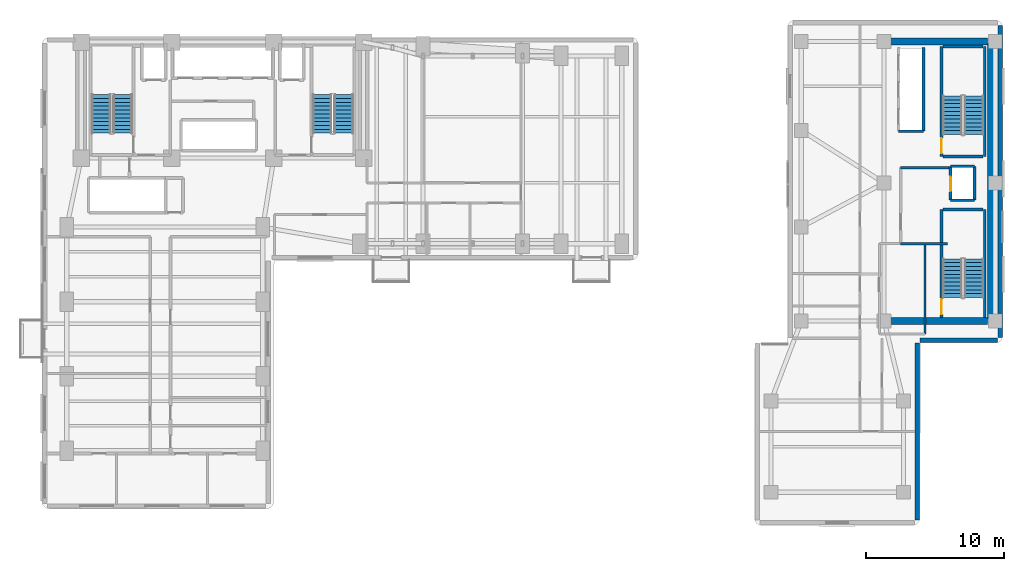
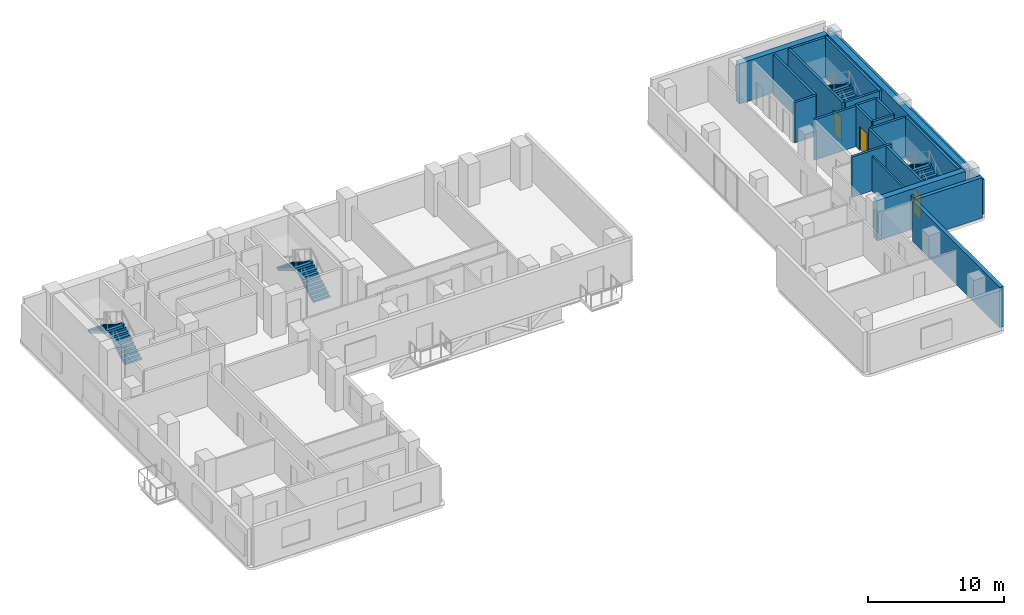
# One storey, part 11 of 15: 22 walls, 8 stair flights, 3 doors, 3 openings, 4 elements without a shape of their own.
"""IFC4 building model written with IfcOpenShell, lengths in metres."""

from ifc_helpers import new_model, si_unit, direction, frame, frame_2d, origin, place, context, subcontext, project, spatial, polyline, rectangle, outline, extrude, material, layer, layer_set, type_object, element, fill, aggregate, save


model = new_model("IFC4")

# Units and contexts
model_context = context("Model", 3, precision=1e-05, world=origin(), true_north=direction((0.0, 1.0)))
body_context = subcontext(model_context, "Body", "Model", "MODEL_VIEW")
ifc_project = project(units=[si_unit("LENGTHUNIT", "METRE"), si_unit("AREAUNIT", "SQUARE_METRE"), si_unit("VOLUMEUNIT", "CUBIC_METRE"), si_unit("PLANEANGLEUNIT", "RADIAN"), si_unit("MASSUNIT", "GRAM", prefix="KILO")], contexts=[model_context])

# Site, building, storey
site_placement = place(None, origin())
site = spatial("IfcSite", under=ifc_project, at=site_placement, CompositionType="ELEMENT")
building_placement = place(site_placement, origin())
building = spatial("IfcBuilding", under=site, at=building_placement, Name="Kuzgunbayir Cultural Tower", CompositionType="ELEMENT")
storey_placement = place(building_placement, frame((0.0, 0.0, 39.800048828125)))
storey = spatial("IfcBuildingStorey", under=building, at=storey_placement, Name="L10", CompositionType="ELEMENT", Elevation=39.800048828125)

# Walls
ifc_material_1 = material(Name="Travertine Buff Ashlar", Category="masonry")
ifc_layer_1 = layer(ifc_material_1, 0.320068359375)
ifc_layer_set_1 = layer_set([ifc_layer_1], Name="Travertine Buff Ashlar")
wall_type_1 = type_object("IfcWallType", Name="WAL-EXT-STONE-320", PredefinedType="STANDARD", material=ifc_layer_set_1)
wall_1_placement = place(storey_placement, frame((73.0, 20.800048828125, 0.0), z_axis=(0.0, 0.0, 1.0), x_axis=(0.0, 1.0, 0.0)))
element("IfcWall", 1, at=wall_1_placement, inside=storey, type_object=wall_type_1, Name="L10 Companion East Limestone Wall", PredefinedType="STANDARD", context=body_context, shape_type="SweptSolid", body=[
    extrude(rectangle(XDim=22.599853515625, YDim=0.320068359375, at=frame_2d((11.2998046875, 0.0))), origin(), (0.0, 0.0, 1.0), 3.10986328125),
])
wall_2_placement = place(storey_placement, frame((67.0, 7.60009765625, 0.0), z_axis=(0.0, 0.0, 1.0), x_axis=(0.0, 1.0, 0.0)))
element("IfcWall", 2, at=wall_2_placement, inside=storey, type_object=wall_type_1, Name="L10 Companion Wing B East Wall", PredefinedType="STANDARD", context=body_context, shape_type="SweptSolid", body=[
    extrude(rectangle(XDim=12.7998046875, YDim=0.320068359375, at=frame_2d((6.39990234375, 0.0))), origin(), (0.0, 0.0, 1.0), 3.619873046875),
])
wall_3_placement = place(storey_placement, frame((67.199951171875, 20.60009765625, 0.0), z_axis=(0.0, 0.0, 1.0), x_axis=(1.0, 0.0, 0.0)))
element("IfcWall", 3, at=wall_3_placement, inside=storey, type_object=wall_type_1, Name="L10 Companion South-East Link", PredefinedType="STANDARD", context=body_context, shape_type="SweptSolid", body=[
    extrude(rectangle(XDim=5.60009765625, YDim=0.320068359375, at=frame_2d((2.800048828125, 0.0))), origin(), (0.0, 0.0, 1.0), 3.619873046875),
])
ifc_material_2 = material(Name="Acoustic Double-Stud Drywall", Category="gypsum")
ifc_layer_2 = layer(ifc_material_2, 0.14990234375)
ifc_layer_set_2 = layer_set([ifc_layer_2], Name="Acoustic Double-Stud Drywall")
wall_type_2 = type_object("IfcWallType", Name="WAL-PART-ACOUSTIC-150", PredefinedType="PARTITIONING", material=ifc_layer_set_2)
wall_4_placement = place(storey_placement, frame((67.550048828125, 21.050048828125, 0.0), z_axis=(0.0, 0.0, 1.0), x_axis=(0.0, 1.0, 0.0)))
element("IfcWall", 4, at=wall_4_placement, inside=storey, type_object=wall_type_2, Name="L10 Companion Archive East Wall", PredefinedType="PARTITIONING", context=body_context, shape_type="SweptSolid", body=[
    extrude(rectangle(XDim=6.469970703125, YDim=0.14990234375, at=frame_2d((3.23486328125, 0.0))), origin(), (0.0, 0.0, 1.0), 3.10986328125),
])
ifc_material_3 = material(Name="Aerated Concrete Blockwork", Category="masonry")
ifc_layer_3 = layer(ifc_material_3, 0.199951171875)
ifc_layer_set_3 = layer_set([ifc_layer_3], Name="Aerated Concrete Blockwork")
wall_type_3 = type_object("IfcWallType", Name="WAL-PART-FIRE-200", PredefinedType="PARTITIONING", material=ifc_layer_set_3)
wall_5_placement = place(storey_placement, frame((65.800048828125, 33.10009765625, 0.0), z_axis=(0.0, 0.0, 1.0), x_axis=(1.0, 0.0, 0.0)))
element("IfcWall", 5, at=wall_5_placement, inside=storey, type_object=wall_type_3, Name="L10 FFL-3 Lobby North Fire Wall", PredefinedType="PARTITIONING", context=body_context, shape_type="SweptSolid", body=[
    extrude(rectangle(XDim=3.599853515625, YDim=0.199951171875, at=frame_2d((1.7998046875, 0.0))), origin(), (0.0, 0.0, 1.0), 3.619873046875),
])
wall_6_placement = place(storey_placement, frame((65.800048828125, 27.60009765625, 0.0), z_axis=(0.0, 0.0, 1.0), x_axis=(1.0, 0.0, 0.0)))
element("IfcWall", 6, at=wall_6_placement, inside=storey, type_object=wall_type_3, Name="L10 FFL-3 Lobby South Fire Wall", PredefinedType="PARTITIONING", context=body_context, shape_type="SweptSolid", body=[
    extrude(rectangle(XDim=3.39990234375, YDim=0.199951171875, at=frame_2d((1.699951171875, 0.0))), origin(), (0.0, 0.0, 1.0), 3.619873046875),
])
ifc_material_4 = material(Name="Concrete C40/50", Category="concrete")
ifc_layer_4 = layer(ifc_material_4, 0.199951171875)
ifc_layer_set_4 = layer_set([ifc_layer_4], Name="Concrete C40/50")
wall_type_4 = type_object("IfcWallType", Name="WAL-SHAFT-200", PredefinedType="MOVABLE", material=ifc_layer_set_4)
wall_7_placement = place(storey_placement, frame((67.449951171875, 35.75, 0.0), z_axis=(0.0, 0.0, 1.0), x_axis=(0.0, 1.0, 0.0)))
element("IfcWall", 7, at=wall_7_placement, inside=storey, type_object=wall_type_4, Name="L10 Companion Lift Shaft Back Wall", PredefinedType="MOVABLE", context=body_context, shape_type="SweptSolid", body=[
    extrude(rectangle(XDim=6.050048828125, YDim=0.199951171875, at=frame_2d((3.02490234375, 0.0))), origin(), (0.0, 0.0, 1.0), 3.619873046875),
])
wall_8_placement = place(storey_placement, frame((65.64990234375, 35.75, 0.0), z_axis=(0.0, 0.0, 1.0), x_axis=(1.0, 0.0, 0.0)))
element("IfcWall", 8, at=wall_8_placement, inside=storey, type_object=wall_type_4, Name="L10 Companion Lift Shaft South Wall", PredefinedType="MOVABLE", context=body_context, shape_type="SweptSolid", body=[
    extrude(rectangle(XDim=1.800048828125, YDim=0.199951171875, at=frame_2d((0.89990234375, 0.0))), origin(), (0.0, 0.0, 1.0), 3.619873046875),
])

# Wall, opening, door
wall_9_placement = place(storey_placement, frame((69.39990234375, 30.75, 0.0), z_axis=(0.0, 0.0, 1.0), x_axis=(0.0, 1.0, 0.0)))
wall_9 = element("IfcWall", 9, at=wall_9_placement, inside=storey, type_object=wall_type_4, Name="L10 FFL-3 Lift Front Wall", PredefinedType="MOVABLE", context=body_context, shape_type="SweptSolid", body=[
    extrude(rectangle(XDim=2.449951171875, YDim=0.199951171875, at=frame_2d((1.22509765625, 0.0))), origin(), (0.0, 0.0, 1.0), 3.619873046875),
])
opening_1_placement = place(wall_9_placement, frame((0.64990234375, 0.0, 0.0)))
opening_1 = element("IfcOpeningElement", 10, at=opening_1_placement, cuts=wall_9, Name="Opening LD", PredefinedType="OPENING", context=body_context, shape_type="SweptSolid", body=[
    extrude(rectangle(XDim=1.050048828125, YDim=2.14990234375, at=frame_2d((0.52490234375, 1.074951171875))), frame((0.0, 0.10986328125, 0.0), z_axis=(0.0, -1.0, 0.0), x_axis=(1.0, 0.0, 0.0)), (0.0, 0.0, 1.0), 0.219970703125),
])
ifc_material_5 = material(Name="Brushed Stainless Steel", Category="steel")
door_type_1 = type_object("IfcDoorType", Name="DR-LIFT-LANDING", OperationType="SLIDING_TO_LEFT", PredefinedType="DOOR", material=ifc_material_5)
door_1_placement = place(opening_1_placement, origin())
door_1 = element("IfcDoor", 11, at=door_1_placement, inside=storey, type_object=door_type_1, Name="L10 Lift FFL-3 Landing Door", OperationType="SLIDING_TO_LEFT", OverallHeight=2.14990234375, OverallWidth=1.050048828125, PredefinedType="DOOR", context=body_context, shape_type="SweptSolid", body=[
    extrude(rectangle(XDim=1.050048828125, YDim=2.14990234375, at=frame_2d((0.52490234375, 1.074951171875))), frame((0.0, 0.02490234375, 0.0), z_axis=(0.0, -1.0, 0.0), x_axis=(1.0, 0.0, 0.0)), (0.0, 0.0, 1.0), 0.050048828125),
])
fill(opening_1, door_1)

# Walls
wall_10_placement = place(storey_placement, frame((71.14990234375, 30.75, 0.0), z_axis=(0.0, 0.0, 1.0), x_axis=(0.0, 1.0, 0.0)))
element("IfcWall", 12, at=wall_10_placement, inside=storey, type_object=wall_type_4, Name="L10 FFL-3 Shaft Back Wall", PredefinedType="MOVABLE", context=body_context, shape_type="SweptSolid", body=[
    extrude(rectangle(XDim=2.449951171875, YDim=0.199951171875, at=frame_2d((1.22509765625, 0.0))), origin(), (0.0, 0.0, 1.0), 3.619873046875),
])
for number, where, z_axis, x_axis, name in (
    (13, (69.39990234375, 33.199951171875, 0.0), (0.0, 0.0, 1.0), (1.0, 0.0, 0.0), "L10 FFL-3 Shaft North Wall"),
    (14, (69.39990234375, 30.75, 0.0), (0.0, 0.0, 1.0), (1.0, 0.0, 0.0), "L10 FFL-3 Shaft South Wall"),
):
    element("IfcWall", number, at=place(storey_placement, frame(where, z_axis=z_axis, x_axis=x_axis)), inside=storey, type_object=wall_type_4, Name=name, PredefinedType="MOVABLE", context=body_context, shape_type="SweptSolid", body=[
        extrude(rectangle(XDim=1.75, YDim=0.199951171875, at=frame_2d((0.875, 0.0))), origin(), (0.0, 0.0, 1.0), 3.619873046875),
    ])

# Wall, opening, door
ifc_layer_5 = layer(ifc_material_4, 0.199951171875)
ifc_layer_set_5 = layer_set([ifc_layer_5], Name="Concrete C40/50")
wall_type_5 = type_object("IfcWallType", Name="WAL-STAIR-RC-200", PredefinedType="SHEAR", material=ifc_layer_set_5)
wall_11_placement = place(storey_placement, frame((68.760009765625, 22.260009765625, 0.0), z_axis=(0.0, 0.0, 1.0), x_axis=(0.0, 1.0, 0.0)))
wall_11 = element("IfcWall", 15, at=wall_11_placement, inside=storey, type_object=wall_type_5, Name="L10 Stair ST-3 West Structural Wall", PredefinedType="SHEAR", context=body_context, shape_type="SweptSolid", body=[
    extrude(rectangle(XDim=7.820068359375, YDim=0.199951171875, at=frame_2d((3.91015625, 0.0))), origin(), (0.0, 0.0, 1.0), 3.619873046875),
])
opening_2_placement = place(wall_11_placement, frame((0.219970703125, 0.0, 0.0)))
opening_2 = element("IfcOpeningElement", 16, at=opening_2_placement, cuts=wall_11, Name="Opening DR-STAIR-90", PredefinedType="OPENING", context=body_context, shape_type="SweptSolid", body=[
    extrude(rectangle(XDim=1.10009765625, YDim=2.14990234375, at=frame_2d((0.550048828125, 1.074951171875))), frame((0.0, 0.10986328125, 0.0), z_axis=(0.0, -1.0, 0.0), x_axis=(1.0, 0.0, 0.0)), (0.0, 0.0, 1.0), 0.219970703125),
])
ifc_material_6 = material(Name="Steel S355J2", Category="steel")
door_type_2 = type_object("IfcDoorType", Name="DR-STAIR-90", OperationType="NOTDEFINED", PredefinedType="DOOR", material=ifc_material_6)
door_2_placement = place(opening_2_placement, origin())
door_2 = element("IfcDoor", 17, at=door_2_placement, inside=storey, type_object=door_type_2, Name="L10 Stair ST-3 Fire Door", OperationType="SINGLE_SWING_RIGHT", OverallHeight=2.14990234375, OverallWidth=1.10009765625, PredefinedType="DOOR", context=body_context, shape_type="SweptSolid", body=[
    extrude(rectangle(XDim=1.10009765625, YDim=2.14990234375, at=frame_2d((0.550048828125, 1.074951171875))), frame((0.0, 0.02490234375, 0.0), z_axis=(0.0, -1.0, 0.0), x_axis=(1.0, 0.0, 0.0)), (0.0, 0.0, 1.0), 0.050048828125),
])
fill(opening_2, door_2)

# Walls
wall_12_placement = place(storey_placement, frame((71.8798828125, 22.260009765625, 0.0), z_axis=(0.0, 0.0, 1.0), x_axis=(0.0, 1.0, 0.0)))
element("IfcWall", 18, at=wall_12_placement, inside=storey, type_object=wall_type_5, Name="L10 Stair ST-3 East Structural Wall", PredefinedType="SHEAR", context=body_context, shape_type="SweptSolid", body=[
    extrude(rectangle(XDim=7.820068359375, YDim=0.199951171875, at=frame_2d((3.91015625, 0.0))), origin(), (0.0, 0.0, 1.0), 3.619873046875),
])
wall_13_placement = place(storey_placement, frame((68.8798828125, 30.080078125, 0.0), z_axis=(0.0, 0.0, 1.0), x_axis=(1.0, 0.0, 0.0)))
element("IfcWall", 19, at=wall_13_placement, inside=storey, type_object=wall_type_5, Name="L10 Stair ST-3 North Structural Wall", PredefinedType="SHEAR", context=body_context, shape_type="SweptSolid", body=[
    extrude(rectangle(XDim=2.880126953125, YDim=0.199951171875, at=frame_2d((1.43994140625, 0.0))), origin(), (0.0, 0.0, 1.0), 3.619873046875),
])

# Wall, opening, door
wall_14_placement = place(storey_placement, frame((68.760009765625, 33.919921875, 0.0), z_axis=(0.0, 0.0, 1.0), x_axis=(0.0, 1.0, 0.0)))
wall_14 = element("IfcWall", 20, at=wall_14_placement, inside=storey, type_object=wall_type_5, Name="L10 Stair ST-4 West Structural Wall", PredefinedType="SHEAR", context=body_context, shape_type="SweptSolid", body=[
    extrude(rectangle(XDim=7.9599609375, YDim=0.199951171875, at=frame_2d((3.97998046875, 0.0))), origin(), (0.0, 0.0, 1.0), 3.619873046875),
])
opening_3_placement = place(wall_14_placement, frame((0.219970703125, 0.0, 0.0)))
opening_3 = element("IfcOpeningElement", 21, at=opening_3_placement, cuts=wall_14, Name="Opening DR-STAIR-90", PredefinedType="OPENING", context=body_context, shape_type="SweptSolid", body=[
    extrude(rectangle(XDim=1.10009765625, YDim=2.14990234375, at=frame_2d((0.550048828125, 1.074951171875))), frame((0.0, 0.10986328125, 0.0), z_axis=(0.0, -1.0, 0.0), x_axis=(1.0, 0.0, 0.0)), (0.0, 0.0, 1.0), 0.219970703125),
])
door_3_placement = place(opening_3_placement, origin())
door_3 = element("IfcDoor", 22, at=door_3_placement, inside=storey, type_object=door_type_2, Name="L10 Stair ST-4 Fire Door", OperationType="SINGLE_SWING_LEFT", OverallHeight=2.14990234375, OverallWidth=1.10009765625, PredefinedType="DOOR", context=body_context, shape_type="SweptSolid", body=[
    extrude(rectangle(XDim=1.10009765625, YDim=2.14990234375, at=frame_2d((0.550048828125, 1.074951171875))), frame((0.0, 0.02490234375, 0.0), z_axis=(0.0, -1.0, 0.0), x_axis=(1.0, 0.0, 0.0)), (0.0, 0.0, 1.0), 0.050048828125),
])
fill(opening_3, door_3)

# Walls
wall_15_placement = place(storey_placement, frame((71.8798828125, 33.919921875, 0.0), z_axis=(0.0, 0.0, 1.0), x_axis=(0.0, 1.0, 0.0)))
element("IfcWall", 23, at=wall_15_placement, inside=storey, type_object=wall_type_5, Name="L10 Stair ST-4 East Structural Wall", PredefinedType="SHEAR", context=body_context, shape_type="SweptSolid", body=[
    extrude(rectangle(XDim=7.9599609375, YDim=0.199951171875, at=frame_2d((3.97998046875, 0.0))), origin(), (0.0, 0.0, 1.0), 3.619873046875),
])
for number, where, z_axis, x_axis, name in (
    (24, (68.8798828125, 41.8798828125, 0.0), (0.0, 0.0, 1.0), (1.0, 0.0, 0.0), "L10 Stair ST-4 North Structural Wall"),
    (25, (68.8798828125, 33.919921875, 0.0), (0.0, 0.0, 1.0), (1.0, 0.0, 0.0), "L10 Stair ST-4 South Structural Wall"),
):
    element("IfcWall", number, at=place(storey_placement, frame(where, z_axis=z_axis, x_axis=x_axis)), inside=storey, type_object=wall_type_5, Name=name, PredefinedType="SHEAR", context=body_context, shape_type="SweptSolid", body=[
        extrude(rectangle(XDim=2.880126953125, YDim=0.199951171875, at=frame_2d((1.43994140625, 0.0))), origin(), (0.0, 0.0, 1.0), 3.619873046875),
    ])
ifc_material_7 = material(Name="Concrete C60/75", Category="concrete")
ifc_layer_6 = layer(ifc_material_7, 0.5)
ifc_layer_set_6 = layer_set([ifc_layer_6], Name="Concrete C60/75")
wall_type_6 = type_object("IfcWallType", Name="WAL-T2-CORE-500", PredefinedType="SHEAR", material=ifc_layer_set_6)
wall_16_placement = place(storey_placement, frame((72.35009765625, 22.0, 0.0), z_axis=(0.0, 0.0, 1.0), x_axis=(0.0, 1.0, 0.0)))
element("IfcWall", 26, at=wall_16_placement, inside=storey, type_object=wall_type_6, Name="L10 Companion Core East Shear Wall", PredefinedType="SHEAR", context=body_context, shape_type="SweptSolid", body=[
    extrude(rectangle(XDim=20.25, YDim=0.5, at=frame_2d((10.125, 0.0))), origin(), (0.0, 0.0, 1.0), 3.619873046875),
])
for number, where, z_axis, x_axis, name in (
    (27, (64.60009765625, 42.25, 0.0), (0.0, 0.0, 1.0), (1.0, 0.0, 0.0), "L10 Companion Core North Shear Wall"),
    (28, (64.60009765625, 22.0, 0.0), (0.0, 0.0, 1.0), (1.0, 0.0, 0.0), "L10 Companion Core South Shear Wall"),
):
    element("IfcWall", number, at=place(storey_placement, frame(where, z_axis=z_axis, x_axis=x_axis)), inside=storey, type_object=wall_type_6, Name=name, PredefinedType="SHEAR", context=body_context, shape_type="SweptSolid", body=[
        extrude(rectangle(XDim=7.5, YDim=0.5, at=frame_2d((3.75, 0.0))), origin(), (0.0, 0.0, 1.0), 3.619873046875),
    ])

# Stair, stair flights
stair_type = type_object("IfcStairType", Name="STR-EXIT-CORE", PredefinedType="HALF_TURN_STAIR", material=ifc_material_4)
stair_1_placement = place(storey_placement, origin())
stair_1 = element("IfcStair", 29, at=stair_1_placement, inside=storey, type_object=stair_type, Name="L10 ST-1", PredefinedType="HALF_TURN_STAIR")
stair_flight_type = type_object("IfcStairFlightType", Name="STRF-RC-140", PredefinedType="STRAIGHT", material=ifc_material_4)
stair_flight_1_placement = place(storey_placement, frame((9.4599609375, 35.60009765625, 0.0), z_axis=(0.0, 0.0, 1.0), x_axis=(0.0, 1.0, 0.0)))
stair_flight_1 = element("IfcStairFlight", 30, at=stair_flight_1_placement, type_object=stair_flight_type, Name="ST-1 flight 1", NumberOfRisers=11, NumberOfTreads=10, PredefinedType="STRAIGHT", RiserHeight=0.172727273, TreadLength=0.28, context=body_context, shape_type="SweptSolid", body=[
    extrude(outline(polyline([(0.0, 0.0), (0.0, 0.172607421875), (0.280029296875, 0.172607421875), (0.280029296875, 0.345458984375), (0.56005859375, 0.345458984375), (0.56005859375, 0.51806640625), (0.840087890625, 0.51806640625), (0.840087890625, 0.69091796875), (1.1201171875, 0.69091796875), (1.1201171875, 0.863525390625), (1.39990234375, 0.863525390625), (1.39990234375, 1.036376953125), (1.679931640625, 1.036376953125), (1.679931640625, 1.208984375), (1.9599609375, 1.208984375), (1.9599609375, 1.3818359375), (2.239990234375, 1.3818359375), (2.239990234375, 1.554443359375), (2.52001953125, 1.554443359375), (2.52001953125, 1.727294921875), (2.800048828125, 1.727294921875), (2.800048828125, 1.89990234375), (2.800048828125, 1.515869140625), (0.3427734375, 0.0), (0.0, 0.0)])), frame((0.0, 0.699951171875, 0.0), z_axis=(0.0, -1.0, 0.0), x_axis=(1.0, 0.0, 0.0)), (0.0, 0.0, 1.0), 1.39990234375),
])
stair_flight_2_placement = place(storey_placement, frame((7.89990234375, 38.39990234375, 1.89990234375), z_axis=(0.0, 0.0, 1.0), x_axis=(0.0, -1.0, 0.0)))
stair_flight_2 = element("IfcStairFlight", 31, at=stair_flight_2_placement, type_object=stair_flight_type, Name="ST-1 flight 2", NumberOfRisers=11, NumberOfTreads=10, PredefinedType="STRAIGHT", RiserHeight=0.172727273, TreadLength=0.28, context=body_context, shape_type="SweptSolid", body=[
    extrude(outline(polyline([(0.0, 0.0), (0.0, 0.172607421875), (0.280029296875, 0.172607421875), (0.280029296875, 0.345458984375), (0.56005859375, 0.345458984375), (0.56005859375, 0.51806640625), (0.840087890625, 0.51806640625), (0.840087890625, 0.69091796875), (1.1201171875, 0.69091796875), (1.1201171875, 0.863525390625), (1.39990234375, 0.863525390625), (1.39990234375, 1.036376953125), (1.679931640625, 1.036376953125), (1.679931640625, 1.208984375), (1.9599609375, 1.208984375), (1.9599609375, 1.3818359375), (2.239990234375, 1.3818359375), (2.239990234375, 1.554443359375), (2.52001953125, 1.554443359375), (2.52001953125, 1.727294921875), (2.800048828125, 1.727294921875), (2.800048828125, 1.89990234375), (2.800048828125, 1.515869140625), (0.3427734375, 0.0), (0.0, 0.0)])), frame((0.0, 0.699951171875, 0.0), z_axis=(0.0, -1.0, 0.0), x_axis=(1.0, 0.0, 0.0)), (0.0, 0.0, 1.0), 1.39990234375),
])
aggregate(stair_1, [stair_flight_1, stair_flight_2])

stair_2_placement = place(storey_placement, origin())
stair_2 = element("IfcStair", 32, at=stair_2_placement, inside=storey, type_object=stair_type, Name="L10 ST-2", PredefinedType="HALF_TURN_STAIR")
stair_flight_3_placement = place(storey_placement, frame((25.4599609375, 35.60009765625, 0.0), z_axis=(0.0, 0.0, 1.0), x_axis=(0.0, 1.0, 0.0)))
stair_flight_3 = element("IfcStairFlight", 33, at=stair_flight_3_placement, type_object=stair_flight_type, Name="ST-2 flight 1", NumberOfRisers=11, NumberOfTreads=10, PredefinedType="STRAIGHT", RiserHeight=0.172727273, TreadLength=0.28, context=body_context, shape_type="SweptSolid", body=[
    extrude(outline(polyline([(0.0, 0.0), (0.0, 0.172607421875), (0.280029296875, 0.172607421875), (0.280029296875, 0.345458984375), (0.56005859375, 0.345458984375), (0.56005859375, 0.51806640625), (0.840087890625, 0.51806640625), (0.840087890625, 0.69091796875), (1.1201171875, 0.69091796875), (1.1201171875, 0.863525390625), (1.39990234375, 0.863525390625), (1.39990234375, 1.036376953125), (1.679931640625, 1.036376953125), (1.679931640625, 1.208984375), (1.9599609375, 1.208984375), (1.9599609375, 1.3818359375), (2.239990234375, 1.3818359375), (2.239990234375, 1.554443359375), (2.52001953125, 1.554443359375), (2.52001953125, 1.727294921875), (2.800048828125, 1.727294921875), (2.800048828125, 1.89990234375), (2.800048828125, 1.515869140625), (0.3427734375, 0.0), (0.0, 0.0)])), frame((0.0, 0.699951171875, 0.0), z_axis=(0.0, -1.0, 0.0), x_axis=(1.0, 0.0, 0.0)), (0.0, 0.0, 1.0), 1.39990234375),
])
stair_flight_4_placement = place(storey_placement, frame((23.89990234375, 38.39990234375, 1.89990234375), z_axis=(0.0, 0.0, 1.0), x_axis=(0.0, -1.0, 0.0)))
stair_flight_4 = element("IfcStairFlight", 34, at=stair_flight_4_placement, type_object=stair_flight_type, Name="ST-2 flight 2", NumberOfRisers=11, NumberOfTreads=10, PredefinedType="STRAIGHT", RiserHeight=0.172727273, TreadLength=0.28, context=body_context, shape_type="SweptSolid", body=[
    extrude(outline(polyline([(0.0, 0.0), (0.0, 0.172607421875), (0.280029296875, 0.172607421875), (0.280029296875, 0.345458984375), (0.56005859375, 0.345458984375), (0.56005859375, 0.51806640625), (0.840087890625, 0.51806640625), (0.840087890625, 0.69091796875), (1.1201171875, 0.69091796875), (1.1201171875, 0.863525390625), (1.39990234375, 0.863525390625), (1.39990234375, 1.036376953125), (1.679931640625, 1.036376953125), (1.679931640625, 1.208984375), (1.9599609375, 1.208984375), (1.9599609375, 1.3818359375), (2.239990234375, 1.3818359375), (2.239990234375, 1.554443359375), (2.52001953125, 1.554443359375), (2.52001953125, 1.727294921875), (2.800048828125, 1.727294921875), (2.800048828125, 1.89990234375), (2.800048828125, 1.515869140625), (0.3427734375, 0.0), (0.0, 0.0)])), frame((0.0, 0.699951171875, 0.0), z_axis=(0.0, -1.0, 0.0), x_axis=(1.0, 0.0, 0.0)), (0.0, 0.0, 1.0), 1.39990234375),
])
aggregate(stair_2, [stair_flight_3, stair_flight_4])

stair_3_placement = place(storey_placement, origin())
stair_3 = element("IfcStair", 35, at=stair_3_placement, inside=storey, type_object=stair_type, Name="L10 ST-3", PredefinedType="HALF_TURN_STAIR")
stair_flight_5_placement = place(storey_placement, frame((71.10009765625, 23.699951171875, 0.0), z_axis=(0.0, 0.0, 1.0), x_axis=(0.0, 1.0, 0.0)))
stair_flight_5 = element("IfcStairFlight", 36, at=stair_flight_5_placement, type_object=stair_flight_type, Name="ST-3 flight 1", NumberOfRisers=11, NumberOfTreads=10, PredefinedType="STRAIGHT", RiserHeight=0.172727273, TreadLength=0.28, context=body_context, shape_type="SweptSolid", body=[
    extrude(outline(polyline([(0.0, 0.0), (0.0, 0.172607421875), (0.280029296875, 0.172607421875), (0.280029296875, 0.345458984375), (0.56005859375, 0.345458984375), (0.56005859375, 0.51806640625), (0.840087890625, 0.51806640625), (0.840087890625, 0.69091796875), (1.1201171875, 0.69091796875), (1.1201171875, 0.863525390625), (1.39990234375, 0.863525390625), (1.39990234375, 1.036376953125), (1.679931640625, 1.036376953125), (1.679931640625, 1.208984375), (1.9599609375, 1.208984375), (1.9599609375, 1.3818359375), (2.239990234375, 1.3818359375), (2.239990234375, 1.554443359375), (2.52001953125, 1.554443359375), (2.52001953125, 1.727294921875), (2.800048828125, 1.727294921875), (2.800048828125, 1.89990234375), (2.800048828125, 1.515869140625), (0.3427734375, 0.0), (0.0, 0.0)])), frame((0.0, 0.699951171875, 0.0), z_axis=(0.0, -1.0, 0.0), x_axis=(1.0, 0.0, 0.0)), (0.0, 0.0, 1.0), 1.39990234375),
])
stair_flight_6_placement = place(storey_placement, frame((69.5400390625, 26.5, 1.89990234375), z_axis=(0.0, 0.0, 1.0), x_axis=(0.0, -1.0, 0.0)))
stair_flight_6 = element("IfcStairFlight", 37, at=stair_flight_6_placement, type_object=stair_flight_type, Name="ST-3 flight 2", NumberOfRisers=11, NumberOfTreads=10, PredefinedType="STRAIGHT", RiserHeight=0.172727273, TreadLength=0.28, context=body_context, shape_type="SweptSolid", body=[
    extrude(outline(polyline([(0.0, 0.0), (0.0, 0.172607421875), (0.280029296875, 0.172607421875), (0.280029296875, 0.345458984375), (0.56005859375, 0.345458984375), (0.56005859375, 0.51806640625), (0.840087890625, 0.51806640625), (0.840087890625, 0.69091796875), (1.1201171875, 0.69091796875), (1.1201171875, 0.863525390625), (1.39990234375, 0.863525390625), (1.39990234375, 1.036376953125), (1.679931640625, 1.036376953125), (1.679931640625, 1.208984375), (1.9599609375, 1.208984375), (1.9599609375, 1.3818359375), (2.239990234375, 1.3818359375), (2.239990234375, 1.554443359375), (2.52001953125, 1.554443359375), (2.52001953125, 1.727294921875), (2.800048828125, 1.727294921875), (2.800048828125, 1.89990234375), (2.800048828125, 1.515869140625), (0.3427734375, 0.0), (0.0, 0.0)])), frame((0.0, 0.699951171875, 0.0), z_axis=(0.0, -1.0, 0.0), x_axis=(1.0, 0.0, 0.0)), (0.0, 0.0, 1.0), 1.39990234375),
])
aggregate(stair_3, [stair_flight_5, stair_flight_6])

stair_4_placement = place(storey_placement, origin())
stair_4 = element("IfcStair", 38, at=stair_4_placement, inside=storey, type_object=stair_type, Name="L10 ST-4", PredefinedType="HALF_TURN_STAIR")
stair_flight_7_placement = place(storey_placement, frame((71.10009765625, 35.5, 0.0), z_axis=(0.0, 0.0, 1.0), x_axis=(0.0, 1.0, 0.0)))
stair_flight_7 = element("IfcStairFlight", 39, at=stair_flight_7_placement, type_object=stair_flight_type, Name="ST-4 flight 1", NumberOfRisers=11, NumberOfTreads=10, PredefinedType="STRAIGHT", RiserHeight=0.172727273, TreadLength=0.28, context=body_context, shape_type="SweptSolid", body=[
    extrude(outline(polyline([(0.0, 0.0), (0.0, 0.172607421875), (0.280029296875, 0.172607421875), (0.280029296875, 0.345458984375), (0.56005859375, 0.345458984375), (0.56005859375, 0.51806640625), (0.840087890625, 0.51806640625), (0.840087890625, 0.69091796875), (1.1201171875, 0.69091796875), (1.1201171875, 0.863525390625), (1.39990234375, 0.863525390625), (1.39990234375, 1.036376953125), (1.679931640625, 1.036376953125), (1.679931640625, 1.208984375), (1.9599609375, 1.208984375), (1.9599609375, 1.3818359375), (2.239990234375, 1.3818359375), (2.239990234375, 1.554443359375), (2.52001953125, 1.554443359375), (2.52001953125, 1.727294921875), (2.800048828125, 1.727294921875), (2.800048828125, 1.89990234375), (2.800048828125, 1.515869140625), (0.3427734375, 0.0), (0.0, 0.0)])), frame((0.0, 0.699951171875, 0.0), z_axis=(0.0, -1.0, 0.0), x_axis=(1.0, 0.0, 0.0)), (0.0, 0.0, 1.0), 1.39990234375),
])
stair_flight_8_placement = place(storey_placement, frame((69.5400390625, 38.300048828125, 1.89990234375), z_axis=(0.0, 0.0, 1.0), x_axis=(0.0, -1.0, 0.0)))
stair_flight_8 = element("IfcStairFlight", 40, at=stair_flight_8_placement, type_object=stair_flight_type, Name="ST-4 flight 2", NumberOfRisers=11, NumberOfTreads=10, PredefinedType="STRAIGHT", RiserHeight=0.172727273, TreadLength=0.28, context=body_context, shape_type="SweptSolid", body=[
    extrude(outline(polyline([(0.0, 0.0), (0.0, 0.172607421875), (0.280029296875, 0.172607421875), (0.280029296875, 0.345458984375), (0.56005859375, 0.345458984375), (0.56005859375, 0.51806640625), (0.840087890625, 0.51806640625), (0.840087890625, 0.69091796875), (1.1201171875, 0.69091796875), (1.1201171875, 0.863525390625), (1.39990234375, 0.863525390625), (1.39990234375, 1.036376953125), (1.679931640625, 1.036376953125), (1.679931640625, 1.208984375), (1.9599609375, 1.208984375), (1.9599609375, 1.3818359375), (2.239990234375, 1.3818359375), (2.239990234375, 1.554443359375), (2.52001953125, 1.554443359375), (2.52001953125, 1.727294921875), (2.800048828125, 1.727294921875), (2.800048828125, 1.89990234375), (2.800048828125, 1.515869140625), (0.3427734375, 0.0), (0.0, 0.0)])), frame((0.0, 0.699951171875, 0.0), z_axis=(0.0, -1.0, 0.0), x_axis=(1.0, 0.0, 0.0)), (0.0, 0.0, 1.0), 1.39990234375),
])
aggregate(stair_4, [stair_flight_7, stair_flight_8])

save(model, "model.ifc")
